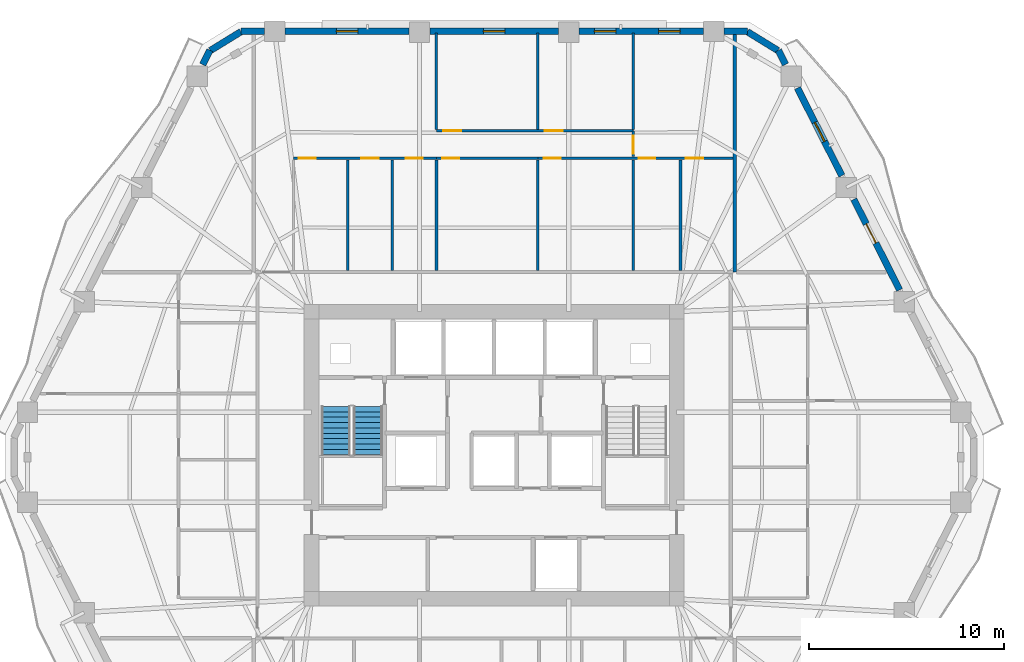
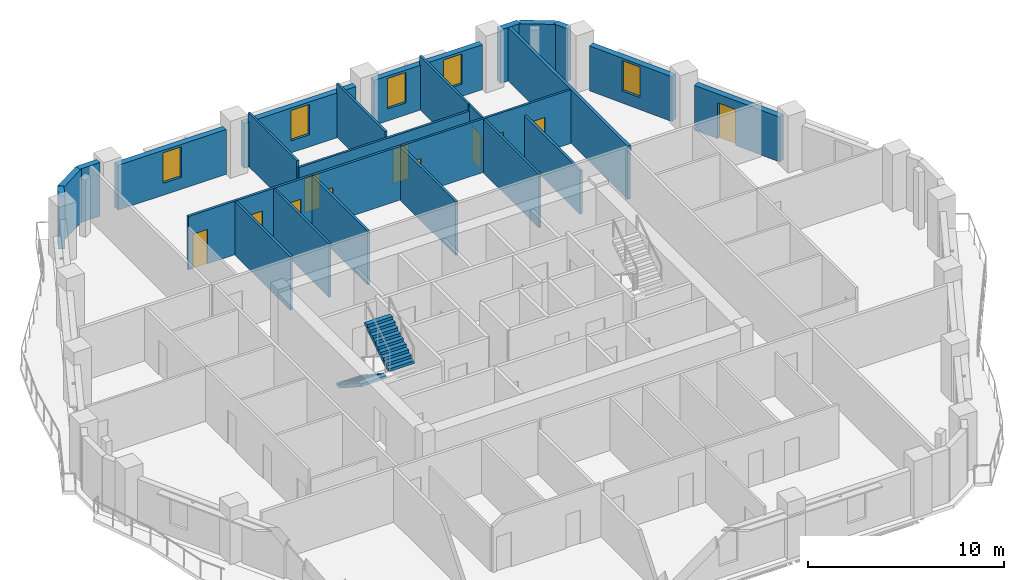
# One storey, part 7 of 12: 26 walls, 11 doors, 5 windows, 2 stair flights, 16 openings, 1 element without a shape of its own.
"""IFC4 building model written with IfcOpenShell, lengths in metres."""

from ifc_helpers import new_model, si_unit, direction, frame, frame_2d, origin, place, context, subcontext, project, spatial, polyline, rectangle, outline, extrude, material, layer, layer_set, type_object, element, fill, aggregate, save


model = new_model("IFC4")

# Units and contexts
model_context = context("Model", 3, precision=1e-05, world=origin(), true_north=direction((0.0, 1.0)))
body_context = subcontext(model_context, "Body", "Model", "MODEL_VIEW")
ifc_project = project(units=[si_unit("LENGTHUNIT", "METRE"), si_unit("AREAUNIT", "SQUARE_METRE"), si_unit("VOLUMEUNIT", "CUBIC_METRE"), si_unit("PLANEANGLEUNIT", "RADIAN"), si_unit("MASSUNIT", "GRAM", prefix="KILO")], contexts=[model_context])

# Site, building, storey
site_placement = place(None, origin())
site = spatial("IfcSite", under=ifc_project, at=site_placement, CompositionType="ELEMENT")
building_placement = place(site_placement, origin())
building = spatial("IfcBuilding", under=site, at=building_placement, Name="Cinnabar Lancet Tower", CompositionType="ELEMENT")
storey_placement = place(building_placement, frame((0.0, 0.0, 126.800048828125)))
storey = spatial("IfcBuildingStorey", under=building, at=storey_placement, Name="L33", CompositionType="ELEMENT", Elevation=126.800048828125)

# Wall
ifc_material_1 = material(Name="Fire-rated twin-frame acoustic drywall", Category="gypsum")
ifc_layer_1 = layer(ifc_material_1, 0.179931640625)
ifc_layer_set_1 = layer_set([ifc_layer_1], Name="Fire-rated twin-frame acoustic drywall")
wall_type_1 = type_object("IfcWallType", Name="ARC-WL-PARTY-180", PredefinedType="PARTITIONING", material=ifc_layer_set_1)
wall_1_placement = place(storey_placement, frame((44.75, 35.300048828125, 0.0), z_axis=(0.0, 0.0, 1.0), x_axis=(0.0, 1.0, 0.0)))
element("IfcWall", 1, at=wall_1_placement, inside=storey, type_object=wall_type_1, Name="PW-L33-NPTY-448", PredefinedType="PARTITIONING", context=body_context, shape_type="SweptSolid", body=[
    extrude(rectangle(XDim=12.195068359375, YDim=0.179931640625, at=frame_2d((6.09765625, 0.0))), origin(), (0.0, 0.0, 1.0), 3.33984375),
])

# Wall, openings, doors
ifc_material_2 = material(Name="Gypsum plasterboard stud partition", Category="gypsum")
ifc_layer_2 = layer(ifc_material_2, 0.125)
ifc_layer_set_2 = layer_set([ifc_layer_2], Name="Gypsum plasterboard stud partition")
wall_type_2 = type_object("IfcWallType", Name="ARC-WL-UNIT-125", PredefinedType="PARTITIONING", material=ifc_layer_set_2)
wall_2_placement = place(storey_placement, frame((34.64306640625, 41.154052734375, 0.0), z_axis=(0.0, 0.0, 1.0), x_axis=(1.0, 0.0, 0.0)))
wall_2 = element("IfcWall", 2, at=wall_2_placement, inside=storey, type_object=wall_type_2, Name="UW-L33-N01-SP2", PredefinedType="PARTITIONING", context=body_context, shape_type="SweptSolid", body=[
    extrude(rectangle(XDim=10.011962890625, YDim=0.125, at=frame_2d((5.005859375, 0.0))), origin(), (0.0, 0.0, 1.0), 3.33984375),
])
opening_1_placement = place(wall_2_placement, frame((5.179931640625, 0.0, 0.0)))
opening_1 = element("IfcOpeningElement", 3, at=opening_1_placement, cuts=wall_2, Name="Opening BD-01", PredefinedType="OPENING", context=body_context, shape_type="SweptSolid", body=[
    extrude(rectangle(XDim=0.860107421875, YDim=2.10009765625, at=frame_2d((0.43017578125, 1.050048828125))), frame((0.0, 0.072509765625, 0.0), z_axis=(0.0, -1.0, 0.0), x_axis=(1.0, 0.0, 0.0)), (0.0, 0.0, 1.0), 0.14501953125),
])
opening_2_placement = place(wall_2_placement, frame((7.60400390625, 0.0, 0.0)))
opening_2 = element("IfcOpeningElement", 4, at=opening_2_placement, cuts=wall_2, Name="Opening RD-02", PredefinedType="OPENING", context=body_context, shape_type="SweptSolid", body=[
    extrude(rectangle(XDim=0.8798828125, YDim=2.14990234375, at=frame_2d((0.43994140625, 1.074951171875))), frame((0.0, 0.072509765625, 0.0), z_axis=(0.0, -1.0, 0.0), x_axis=(1.0, 0.0, 0.0)), (0.0, 0.0, 1.0), 0.14501953125),
])
opening_3_placement = place(wall_2_placement, frame((0.300048828125, 0.0, 0.0)))
opening_3 = element("IfcOpeningElement", 5, at=opening_3_placement, cuts=wall_2, Name="Opening RD-02", PredefinedType="OPENING", context=body_context, shape_type="SweptSolid", body=[
    extrude(rectangle(XDim=0.8798828125, YDim=2.14990234375, at=frame_2d((0.43994140625, 1.074951171875))), frame((0.0, 0.072509765625, 0.0), z_axis=(0.0, -1.0, 0.0), x_axis=(1.0, 0.0, 0.0)), (0.0, 0.0, 1.0), 0.14501953125),
])
ifc_material_3 = material(Name="Moisture-resistant timber bathroom door", Category="wood")
door_type_1 = type_object("IfcDoorType", Name="ARC-DR-BATH", OperationType="NOTDEFINED", PredefinedType="DOOR", material=ifc_material_3)
door_1_placement = place(opening_1_placement, origin())
door_1 = element("IfcDoor", 6, at=door_1_placement, inside=storey, type_object=door_type_1, Name="DR-L33-N01-ENS", OperationType="SINGLE_SWING_RIGHT", OverallHeight=2.10009765625, OverallWidth=0.860107421875, PredefinedType="DOOR", context=body_context, shape_type="SweptSolid", body=[
    extrude(rectangle(XDim=0.860107421875, YDim=2.10009765625, at=frame_2d((0.43017578125, 1.050048828125))), frame((0.0, 0.02490234375, 0.0), z_axis=(0.0, -1.0, 0.0), x_axis=(1.0, 0.0, 0.0)), (0.0, 0.0, 1.0), 0.050048828125),
])
fill(opening_1, door_1)
ifc_material_4 = material(Name="Engineered timber study door", Category="wood")
door_type_2 = type_object("IfcDoorType", Name="ARC-DR-STUDY", OperationType="NOTDEFINED", PredefinedType="DOOR", material=ifc_material_4)
door_2_placement = place(opening_2_placement, origin())
door_2 = element("IfcDoor", 7, at=door_2_placement, inside=storey, type_object=door_type_2, Name="DR-L33-N01-ENS-WDR", OperationType="SINGLE_SWING_LEFT", OverallHeight=2.14990234375, OverallWidth=0.8798828125, PredefinedType="DOOR", context=body_context, shape_type="SweptSolid", body=[
    extrude(rectangle(XDim=0.8798828125, YDim=2.14990234375, at=frame_2d((0.43994140625, 1.074951171875))), frame((0.0, 0.02490234375, 0.0), z_axis=(0.0, -1.0, 0.0), x_axis=(1.0, 0.0, 0.0)), (0.0, 0.0, 1.0), 0.050048828125),
])
fill(opening_2, door_2)
door_3_placement = place(opening_3_placement, origin())
door_3 = element("IfcDoor", 8, at=door_3_placement, inside=storey, type_object=door_type_2, Name="DR-L33-N01-DRS", OperationType="SINGLE_SWING_LEFT", OverallHeight=2.14990234375, OverallWidth=0.8798828125, PredefinedType="DOOR", context=body_context, shape_type="SweptSolid", body=[
    extrude(rectangle(XDim=0.8798828125, YDim=2.14990234375, at=frame_2d((0.43994140625, 1.074951171875))), frame((0.0, 0.02490234375, 0.0), z_axis=(0.0, -1.0, 0.0), x_axis=(1.0, 0.0, 0.0)), (0.0, 0.0, 1.0), 0.050048828125),
])
fill(opening_3, door_3)

# Walls
wall_3_placement = place(storey_placement, frame((27.162109375, 35.385009765625, 0.0), z_axis=(0.0, 0.0, 1.0), x_axis=(0.0, 1.0, 0.0)))
element("IfcWall", 9, at=wall_3_placement, inside=storey, type_object=wall_type_2, Name="UW-L33-N01-STD", PredefinedType="PARTITIONING", context=body_context, shape_type="SweptSolid", body=[
    extrude(rectangle(XDim=5.6640625, YDim=0.125, at=frame_2d((2.83203125, 0.0))), origin(), (0.0, 0.0, 1.0), 3.33984375),
])
wall_4_placement = place(storey_placement, frame((29.43603515625, 42.618896484375, 0.0), z_axis=(0.0, 0.0, 1.0), x_axis=(0.0, 1.0, 0.0)))
element("IfcWall", 10, at=wall_4_placement, inside=storey, type_object=wall_type_2, Name="UW-L33-N01-BD2W", PredefinedType="PARTITIONING", context=body_context, shape_type="SweptSolid", body=[
    extrude(rectangle(XDim=4.966064453125, YDim=0.125, at=frame_2d((2.48291015625, 0.0))), origin(), (0.0, 0.0, 1.0), 3.33984375),
])

# Wall, openings, doors
wall_5_placement = place(storey_placement, frame((29.43603515625, 42.553955078125, 0.0), z_axis=(0.0, 0.0, 1.0), x_axis=(1.0, 0.0, 0.0)))
wall_5 = element("IfcWall", 11, at=wall_5_placement, inside=storey, type_object=wall_type_2, Name="UW-L33-N01-HLN", PredefinedType="PARTITIONING", context=body_context, shape_type="SweptSolid", body=[
    extrude(rectangle(XDim=10.10693359375, YDim=0.125, at=frame_2d((5.053466796875, 0.0))), origin(), (0.0, 0.0, 1.0), 2.974853515625),
])
opening_4_placement = place(wall_5_placement, frame((0.35009765625, 0.0, 0.0)))
opening_4 = element("IfcOpeningElement", 12, at=opening_4_placement, cuts=wall_5, Name="Opening RD-01", PredefinedType="OPENING", context=body_context, shape_type="SweptSolid", body=[
    extrude(rectangle(XDim=0.919921875, YDim=2.14990234375, at=frame_2d((0.4599609375, 1.074951171875))), frame((0.0, 0.072509765625, 0.0), z_axis=(0.0, -1.0, 0.0), x_axis=(1.0, 0.0, 0.0)), (0.0, 0.0, 1.0), 0.14501953125),
])
opening_5_placement = place(wall_5_placement, frame((5.556884765625, 0.0, 0.0)))
opening_5 = element("IfcOpeningElement", 13, at=opening_5_placement, cuts=wall_5, Name="Opening RD-01", PredefinedType="OPENING", context=body_context, shape_type="SweptSolid", body=[
    extrude(rectangle(XDim=0.919921875, YDim=2.14990234375, at=frame_2d((0.4599609375, 1.074951171875))), frame((0.0, 0.072509765625, 0.0), z_axis=(0.0, -1.0, 0.0), x_axis=(1.0, 0.0, 0.0)), (0.0, 0.0, 1.0), 0.14501953125),
])
ifc_material_5 = material(Name="Engineered timber bedroom door", Category="wood")
door_type_3 = type_object("IfcDoorType", Name="ARC-DR-ROOM", OperationType="NOTDEFINED", PredefinedType="DOOR", material=ifc_material_5)
door_4_placement = place(opening_4_placement, origin())
door_4 = element("IfcDoor", 14, at=door_4_placement, inside=storey, type_object=door_type_3, Name="DR-L33-N01-BD2", OperationType="SINGLE_SWING_RIGHT", OverallHeight=2.14990234375, OverallWidth=0.919921875, PredefinedType="DOOR", context=body_context, shape_type="SweptSolid", body=[
    extrude(rectangle(XDim=0.919921875, YDim=2.14990234375, at=frame_2d((0.4599609375, 1.074951171875))), frame((0.0, 0.02490234375, 0.0), z_axis=(0.0, -1.0, 0.0), x_axis=(1.0, 0.0, 0.0)), (0.0, 0.0, 1.0), 0.050048828125),
])
fill(opening_4, door_4)
door_5_placement = place(opening_5_placement, origin())
door_5 = element("IfcDoor", 15, at=door_5_placement, inside=storey, type_object=door_type_3, Name="DR-L33-N01-BD3", OperationType="SINGLE_SWING_LEFT", OverallHeight=2.14990234375, OverallWidth=0.919921875, PredefinedType="DOOR", context=body_context, shape_type="SweptSolid", body=[
    extrude(rectangle(XDim=0.919921875, YDim=2.14990234375, at=frame_2d((0.4599609375, 1.074951171875))), frame((0.0, 0.02490234375, 0.0), z_axis=(0.0, -1.0, 0.0), x_axis=(1.0, 0.0, 0.0)), (0.0, 0.0, 1.0), 0.050048828125),
])
fill(opening_5, door_5)

# Wall, opening, door
wall_6_placement = place(storey_placement, frame((39.54296875, 41.22412109375, 0.0), z_axis=(0.0, 0.0, 1.0), x_axis=(0.0, 1.0, 0.0)))
wall_6 = element("IfcWall", 16, at=wall_6_placement, inside=storey, type_object=wall_type_2, Name="UW-L33-N01-MBE", PredefinedType="PARTITIONING", context=body_context, shape_type="SweptSolid", body=[
    extrude(rectangle(XDim=1.329833984375, YDim=0.125, at=frame_2d((0.6650390625, 0.0))), origin(), (0.0, 0.0, 1.0), 3.33984375),
])
opening_6_placement = place(wall_6_placement, frame((0.159912109375, 0.0, 0.0)))
opening_6 = element("IfcOpeningElement", 17, at=opening_6_placement, cuts=wall_6, Name="Opening RD-01", PredefinedType="OPENING", context=body_context, shape_type="SweptSolid", body=[
    extrude(rectangle(XDim=0.919921875, YDim=2.14990234375, at=frame_2d((0.4599609375, 1.074951171875))), frame((0.0, 0.072509765625, 0.0), z_axis=(0.0, -1.0, 0.0), x_axis=(1.0, 0.0, 0.0)), (0.0, 0.0, 1.0), 0.14501953125),
])
door_6_placement = place(opening_6_placement, origin())
door_6 = element("IfcDoor", 18, at=door_6_placement, inside=storey, type_object=door_type_3, Name="DR-L33-N01-MBD", OperationType="SINGLE_SWING_RIGHT", OverallHeight=2.14990234375, OverallWidth=0.919921875, PredefinedType="DOOR", context=body_context, shape_type="SweptSolid", body=[
    extrude(rectangle(XDim=0.919921875, YDim=2.14990234375, at=frame_2d((0.4599609375, 1.074951171875))), frame((0.0, 0.02490234375, 0.0), z_axis=(0.0, -1.0, 0.0), x_axis=(1.0, 0.0, 0.0)), (0.0, 0.0, 1.0), 0.050048828125),
])
fill(opening_6, door_6)

# Walls
for number, where, z_axis, x_axis, name in (
    (19, (34.64306640625, 42.618896484375, 0.0), (0.0, 0.0, 1.0), (0.0, 1.0, 0.0), "UW-L33-N01-MB2W"),
    (20, (39.54296875, 42.618896484375, 0.0), (0.0, 0.0, 1.0), (0.0, 1.0, 0.0), "UW-L33-N01-B23W"),
):
    element("IfcWall", number, at=place(storey_placement, frame(where, z_axis=z_axis, x_axis=x_axis)), inside=storey, type_object=wall_type_2, Name=name, PredefinedType="PARTITIONING", context=body_context, shape_type="SweptSolid", body=[
        extrude(rectangle(XDim=4.966064453125, YDim=0.125, at=frame_2d((2.48291015625, 0.0))), origin(), (0.0, 0.0, 1.0), 3.33984375),
    ])

# Wall, openings, doors
ifc_material_6 = material(Name="Moisture-resistant cement-board plumbing wall", Category="masonry")
ifc_layer_3 = layer(ifc_material_6, 0.139892578125)
ifc_layer_set_3 = layer_set([ifc_layer_3], Name="Moisture-resistant cement-board plumbing wall")
wall_type_3 = type_object("IfcWallType", Name="ARC-WL-WET-140", PredefinedType="PLUMBINGWALL", material=ifc_layer_set_3)
wall_7_placement = place(storey_placement, frame((22.10009765625, 41.154052734375, 0.0), z_axis=(0.0, 0.0, 1.0), x_axis=(1.0, 0.0, 0.0)))
wall_7 = element("IfcWall", 21, at=wall_7_placement, inside=storey, type_object=wall_type_3, Name="UW-L33-N01-SPL", PredefinedType="PLUMBINGWALL", context=body_context, shape_type="SweptSolid", body=[
    extrude(rectangle(XDim=7.3359375, YDim=0.139892578125, at=frame_2d((3.66796875, 0.0))), origin(), (0.0, 0.0, 1.0), 3.33984375),
])
opening_7_placement = place(wall_7_placement, frame((5.77392578125, 0.0, 0.0)))
opening_7 = element("IfcOpeningElement", 22, at=opening_7_placement, cuts=wall_7, Name="Opening BD-01", PredefinedType="OPENING", context=body_context, shape_type="SweptSolid", body=[
    extrude(rectangle(XDim=0.860107421875, YDim=2.10009765625, at=frame_2d((0.43017578125, 1.050048828125))), frame((0.0, 0.079833984375, 0.0), z_axis=(0.0, -1.0, 0.0), x_axis=(1.0, 0.0, 0.0)), (0.0, 0.0, 1.0), 0.159912109375),
])
opening_8_placement = place(wall_7_placement, frame((0.260009765625, 0.0, 0.0)))
opening_8 = element("IfcOpeningElement", 23, at=opening_8_placement, cuts=wall_7, Name="Opening RD-02", PredefinedType="OPENING", context=body_context, shape_type="SweptSolid", body=[
    extrude(rectangle(XDim=0.8798828125, YDim=2.14990234375, at=frame_2d((0.43994140625, 1.074951171875))), frame((0.0, 0.079833984375, 0.0), z_axis=(0.0, -1.0, 0.0), x_axis=(1.0, 0.0, 0.0)), (0.0, 0.0, 1.0), 0.159912109375),
])
opening_9_placement = place(wall_7_placement, frame((3.485107421875, 0.0, 0.0)))
opening_9 = element("IfcOpeningElement", 24, at=opening_9_placement, cuts=wall_7, Name="Opening RD-02", PredefinedType="OPENING", context=body_context, shape_type="SweptSolid", body=[
    extrude(rectangle(XDim=0.8798828125, YDim=2.14990234375, at=frame_2d((0.43994140625, 1.074951171875))), frame((0.0, 0.079833984375, 0.0), z_axis=(0.0, -1.0, 0.0), x_axis=(1.0, 0.0, 0.0)), (0.0, 0.0, 1.0), 0.159912109375),
])
door_7_placement = place(opening_7_placement, origin())
door_7 = element("IfcDoor", 25, at=door_7_placement, inside=storey, type_object=door_type_1, Name="DR-L33-N01-BTH", OperationType="SINGLE_SWING_RIGHT", OverallHeight=2.10009765625, OverallWidth=0.860107421875, PredefinedType="DOOR", context=body_context, shape_type="SweptSolid", body=[
    extrude(rectangle(XDim=0.860107421875, YDim=2.10009765625, at=frame_2d((0.43017578125, 1.050048828125))), frame((0.0, 0.02490234375, 0.0), z_axis=(0.0, -1.0, 0.0), x_axis=(1.0, 0.0, 0.0)), (0.0, 0.0, 1.0), 0.050048828125),
])
fill(opening_7, door_7)
door_8_placement = place(opening_8_placement, origin())
door_8 = element("IfcDoor", 26, at=door_8_placement, inside=storey, type_object=door_type_2, Name="DR-L33-N01-KIT", OperationType="SINGLE_SWING_RIGHT", OverallHeight=2.14990234375, OverallWidth=0.8798828125, PredefinedType="DOOR", context=body_context, shape_type="SweptSolid", body=[
    extrude(rectangle(XDim=0.8798828125, YDim=2.14990234375, at=frame_2d((0.43994140625, 1.074951171875))), frame((0.0, 0.02490234375, 0.0), z_axis=(0.0, -1.0, 0.0), x_axis=(1.0, 0.0, 0.0)), (0.0, 0.0, 1.0), 0.050048828125),
])
fill(opening_8, door_8)
door_9_placement = place(opening_9_placement, origin())
door_9 = element("IfcDoor", 27, at=door_9_placement, inside=storey, type_object=door_type_2, Name="DR-L33-N01-STD", OperationType="SINGLE_SWING_LEFT", OverallHeight=2.14990234375, OverallWidth=0.8798828125, PredefinedType="DOOR", context=body_context, shape_type="SweptSolid", body=[
    extrude(rectangle(XDim=0.8798828125, YDim=2.14990234375, at=frame_2d((0.43994140625, 1.074951171875))), frame((0.0, 0.02490234375, 0.0), z_axis=(0.0, -1.0, 0.0), x_axis=(1.0, 0.0, 0.0)), (0.0, 0.0, 1.0), 0.050048828125),
])
fill(opening_9, door_9)

# Wall, opening, door
wall_8_placement = place(storey_placement, frame((29.43603515625, 41.154052734375, 0.0), z_axis=(0.0, 0.0, 1.0), x_axis=(1.0, 0.0, 0.0)))
wall_8 = element("IfcWall", 28, at=wall_8_placement, inside=storey, type_object=wall_type_3, Name="UW-L33-N01-SPM", PredefinedType="PLUMBINGWALL", context=body_context, shape_type="SweptSolid", body=[
    extrude(rectangle(XDim=5.20703125, YDim=0.139892578125, at=frame_2d((2.603515625, 0.0))), origin(), (0.0, 0.0, 1.0), 3.33984375),
])
opening_10_placement = place(wall_8_placement, frame((0.300048828125, 0.0, 0.0)))
opening_10 = element("IfcOpeningElement", 29, at=opening_10_placement, cuts=wall_8, Name="Opening RD-02", PredefinedType="OPENING", context=body_context, shape_type="SweptSolid", body=[
    extrude(rectangle(XDim=0.8798828125, YDim=2.14990234375, at=frame_2d((0.43994140625, 1.074951171875))), frame((0.0, 0.079833984375, 0.0), z_axis=(0.0, -1.0, 0.0), x_axis=(1.0, 0.0, 0.0)), (0.0, 0.0, 1.0), 0.159912109375),
])
door_10_placement = place(opening_10_placement, origin())
door_10 = element("IfcDoor", 30, at=door_10_placement, inside=storey, type_object=door_type_2, Name="DR-L33-N01-UTL", OperationType="SINGLE_SWING_LEFT", OverallHeight=2.14990234375, OverallWidth=0.8798828125, PredefinedType="DOOR", context=body_context, shape_type="SweptSolid", body=[
    extrude(rectangle(XDim=0.8798828125, YDim=2.14990234375, at=frame_2d((0.43994140625, 1.074951171875))), frame((0.0, 0.02490234375, 0.0), z_axis=(0.0, -1.0, 0.0), x_axis=(1.0, 0.0, 0.0)), (0.0, 0.0, 1.0), 0.050048828125),
])
fill(opening_10, door_10)

# Walls
for number, where, z_axis, x_axis, name in (
    (31, (24.887939453125, 35.385009765625, 0.0), (0.0, 0.0, 1.0), (0.0, 1.0, 0.0), "UW-L33-N01-KDV"),
    (32, (29.43603515625, 35.385009765625, 0.0), (0.0, 0.0, 1.0), (0.0, 1.0, 0.0), "UW-L33-N01-ENSW"),
    (33, (34.64306640625, 35.385009765625, 0.0), (0.0, 0.0, 1.0), (0.0, 1.0, 0.0), "UW-L33-N01-ENSE"),
    (34, (39.54296875, 35.385009765625, 0.0), (0.0, 0.0, 1.0), (0.0, 1.0, 0.0), "UW-L33-N01-UT3"),
):
    element("IfcWall", number, at=place(storey_placement, frame(where, z_axis=z_axis, x_axis=x_axis)), inside=storey, type_object=wall_type_3, Name=name, PredefinedType="PLUMBINGWALL", context=body_context, shape_type="SweptSolid", body=[
        extrude(rectangle(XDim=5.6640625, YDim=0.139892578125, at=frame_2d((2.83203125, 0.0))), origin(), (0.0, 0.0, 1.0), 3.33984375),
    ])
wall_9_placement = place(storey_placement, frame((41.967041015625, 35.385009765625, 0.0), z_axis=(0.0, 0.0, 1.0), x_axis=(0.0, 1.0, 0.0)))
element("IfcWall", 35, at=wall_9_placement, inside=storey, type_object=wall_type_3, Name="UW-L33-N01-ENS-WDV", PredefinedType="PLUMBINGWALL", context=body_context, shape_type="SweptSolid", body=[
    extrude(rectangle(XDim=5.68408203125, YDim=0.139892578125, at=frame_2d((2.842041015625, 0.0))), origin(), (0.0, 0.0, 1.0), 2.721923828125),
])
ifc_material_7 = material(Name="Cinnabar red clay brick", Category="masonry")
ifc_layer_4 = layer(ifc_material_7, 0.340087890625)
ifc_layer_set_4 = layer_set([ifc_layer_4], Name="Cinnabar red clay brick")
wall_type_4 = type_object("IfcWallType", Name="ENV-WL-BRK-RED-340", PredefinedType="STANDARD", material=ifc_layer_set_4)
for number, where, z_axis, x_axis, name in (
    (36, (46.970947265625, 46.677001953125, 0.0), (0.0, 0.0, 1.0), (-0.851798915137, 0.523868884523, 0.0), "L33 Chamfered Corner Brick Pier 4.1"),
    (37, (19.403076171875, 47.64501953125, 0.0), (0.0, 0.0, 1.0), (-0.851798915137, -0.523868884523, 0.0), "L33 Chamfered Corner Brick Pier 5.1"),
):
    element("IfcWall", number, at=place(storey_placement, frame(where, z_axis=z_axis, x_axis=x_axis)), inside=storey, type_object=wall_type_4, Name=name, PredefinedType="STANDARD", context=body_context, shape_type="SweptSolid", body=[
        extrude(rectangle(XDim=1.847900390625, YDim=0.340087890625, at=frame_2d((0.923828125, 0.0))), origin(), (0.0, 0.0, 1.0), 3.33984375),
    ])

# Wall, opening, door
wall_10_placement = place(storey_placement, frame((53.219970703125, 34.382080078125, 0.0), z_axis=(0.0, 0.0, 1.0), x_axis=(-0.451567731634, 0.892236842855, 0.0)))
wall_10 = element("IfcWall", 38, at=wall_10_placement, inside=storey, type_object=wall_type_4, Name="L33 Face 3 Masonry Bay Wall 3", PredefinedType="STANDARD", context=body_context, shape_type="SweptSolid", body=[
    extrude(rectangle(XDim=5.219482421875, YDim=0.340087890625, at=frame_2d((2.60986328125, 0.0))), origin(), (0.0, 0.0, 1.0), 2.796875),
])
opening_11_placement = place(wall_10_placement, frame((2.698974609375, 0.0, 0.0)))
opening_11 = element("IfcOpeningElement", 39, at=opening_11_placement, cuts=wall_10, Name="Opening TD-01", PredefinedType="OPENING", context=body_context, shape_type="SweptSolid", body=[
    extrude(rectangle(XDim=1.10009765625, YDim=2.25, at=frame_2d((0.550048828125, 1.125))), frame((0.0, 0.179931640625, 0.0), z_axis=(0.0, -1.0, 0.0), x_axis=(1.0, 0.0, 0.0)), (0.0, 0.0, 1.0), 0.360107421875),
])
ifc_material_8 = material(Name="Thermally broken low-E glazed balcony terrace door", Category="wood")
door_type_4 = type_object("IfcDoorType", Name="ARC-DR-BALC", OperationType="NOTDEFINED", PredefinedType="DOOR", material=ifc_material_8)
door_11_placement = place(opening_11_placement, origin())
door_11 = element("IfcDoor", 40, at=door_11_placement, inside=storey, type_object=door_type_4, Name="L33 Face 3 Glazed Terrace Door", OperationType="SINGLE_SWING_LEFT", OverallHeight=2.25, OverallWidth=1.10009765625, PredefinedType="DOOR", context=body_context, shape_type="SweptSolid", body=[
    extrude(rectangle(XDim=1.10009765625, YDim=2.25, at=frame_2d((0.550048828125, 1.125))), frame((0.0, 0.02490234375, 0.0), z_axis=(0.0, -1.0, 0.0), x_axis=(1.0, 0.0, 0.0)), (0.0, 0.0, 1.0), 0.050048828125),
])
fill(opening_11, door_11)

# Wall, opening, window
wall_11_placement = place(storey_placement, frame((50.2509765625, 40.2509765625, 0.0), z_axis=(0.0, 0.0, 1.0), x_axis=(-0.451548465867, 0.892246593142, 0.0)))
wall_11 = element("IfcWall", 41, at=wall_11_placement, inside=storey, type_object=wall_type_4, Name="L33 Face 3 Masonry Bay Wall 4", PredefinedType="STANDARD", context=body_context, shape_type="SweptSolid", body=[
    extrude(rectangle(XDim=5.040283203125, YDim=0.340087890625, at=frame_2d((2.52001953125, 0.0))), origin(), (0.0, 0.0, 1.0), 2.796875),
])
opening_12_placement = place(wall_11_placement, frame((1.969970703125, 0.0, 0.75)))
opening_12 = element("IfcOpeningElement", 42, at=opening_12_placement, cuts=wall_11, Name="Opening WN-04", PredefinedType="OPENING", context=body_context, shape_type="SweptSolid", body=[
    extrude(rectangle(XDim=1.10009765625, YDim=1.89697265625, at=frame_2d((0.550048828125, 0.948486328125))), frame((0.0, 0.179931640625, 0.0), z_axis=(0.0, -1.0, 0.0), x_axis=(1.0, 0.0, 0.0)), (0.0, 0.0, 1.0), 0.360107421875),
])
ifc_material_9 = material(Name="Thermally broken bronze-anodized aluminium tall lancet window", Category="aluminium")
window_type = type_object("IfcWindowType", Name="ENV-WN-LANCET-1100", PartitioningType="SINGLE_PANEL", PredefinedType="WINDOW", material=ifc_material_9)
window_1_placement = place(opening_12_placement, origin())
window_1 = element("IfcWindow", 43, at=window_1_placement, inside=storey, type_object=window_type, Name="L33 Face 3 Gothic Lancet Window 4", OverallHeight=1.89697265625, OverallWidth=1.10009765625, PartitioningType="SINGLE_PANEL", PredefinedType="WINDOW", context=body_context, shape_type="SweptSolid", body=[
    extrude(rectangle(XDim=1.10009765625, YDim=1.89697265625, at=frame_2d((0.550048828125, 0.948486328125))), frame((0.0, 0.030029296875, 0.0), z_axis=(0.0, -1.0, 0.0), x_axis=(1.0, 0.0, 0.0)), (0.0, 0.0, 1.0), 0.06005859375),
])
fill(opening_12, window_1)

# Walls
wall_12_placement = place(storey_placement, frame((47.362060546875, 45.9599609375, 0.0), z_axis=(0.0, 0.0, 1.0), x_axis=(-0.45160540153, 0.89221777684, 0.0)))
element("IfcWall", 44, at=wall_12_placement, inside=storey, type_object=wall_type_4, Name="L33 Face 3 Masonry Bay Wall 5", PredefinedType="STANDARD", context=body_context, shape_type="SweptSolid", body=[
    extrude(rectangle(XDim=0.82177734375, YDim=0.340087890625, at=frame_2d((0.410888671875, 0.0))), origin(), (0.0, 0.0, 1.0), 3.33984375),
])
wall_13_placement = place(storey_placement, frame((45.402099609375, 47.669921875, 0.0), z_axis=(0.0, 0.0, 1.0), x_axis=(-1.0, 0.0, 0.0)))
element("IfcWall", 45, at=wall_13_placement, inside=storey, type_object=wall_type_4, Name="L33 Face 4 Masonry Bay Wall 1", PredefinedType="STANDARD", context=body_context, shape_type="SweptSolid", body=[
    extrude(rectangle(XDim=1.2041015625, YDim=0.340087890625, at=frame_2d((0.60205078125, 0.0))), origin(), (0.0, 0.0, 1.0), 3.33984375),
])

# Wall, openings, windows
wall_14_placement = place(storey_placement, frame((43.139892578125, 47.669921875, 0.0), z_axis=(0.0, 0.0, 1.0), x_axis=(-1.0, 0.0, 0.0)))
wall_14 = element("IfcWall", 46, at=wall_14_placement, inside=storey, type_object=wall_type_4, Name="L33 Face 4 Masonry Bay Wall 2", PredefinedType="STANDARD", context=body_context, shape_type="SweptSolid", body=[
    extrude(rectangle(XDim=6.37890625, YDim=0.340087890625, at=frame_2d((3.189453125, 0.0))), origin(), (0.0, 0.0, 1.0), 2.796875),
])
opening_13_placement = place(wall_14_placement, frame((1.19189453125, 0.0, 0.75)))
opening_13 = element("IfcOpeningElement", 47, at=opening_13_placement, cuts=wall_14, Name="Opening WN-04", PredefinedType="OPENING", context=body_context, shape_type="SweptSolid", body=[
    extrude(rectangle(XDim=1.10009765625, YDim=1.89697265625, at=frame_2d((0.550048828125, 0.948486328125))), frame((0.0, 0.179931640625, 0.0), z_axis=(0.0, -1.0, 0.0), x_axis=(1.0, 0.0, 0.0)), (0.0, 0.0, 1.0), 0.360107421875),
])
opening_14_placement = place(wall_14_placement, frame((4.493896484375, 0.0, 0.75)))
opening_14 = element("IfcOpeningElement", 48, at=opening_14_placement, cuts=wall_14, Name="Opening WN-04", PredefinedType="OPENING", context=body_context, shape_type="SweptSolid", body=[
    extrude(rectangle(XDim=1.10009765625, YDim=1.89697265625, at=frame_2d((0.550048828125, 0.948486328125))), frame((0.0, 0.179931640625, 0.0), z_axis=(0.0, -1.0, 0.0), x_axis=(1.0, 0.0, 0.0)), (0.0, 0.0, 1.0), 0.360107421875),
])
window_2_placement = place(opening_13_placement, origin())
window_2 = element("IfcWindow", 49, at=window_2_placement, inside=storey, type_object=window_type, Name="L33 Face 4 Gothic Lancet Window 2", OverallHeight=1.89697265625, OverallWidth=1.10009765625, PartitioningType="SINGLE_PANEL", PredefinedType="WINDOW", context=body_context, shape_type="SweptSolid", body=[
    extrude(rectangle(XDim=1.10009765625, YDim=1.89697265625, at=frame_2d((0.550048828125, 0.948486328125))), frame((0.0, 0.030029296875, 0.0), z_axis=(0.0, -1.0, 0.0), x_axis=(1.0, 0.0, 0.0)), (0.0, 0.0, 1.0), 0.06005859375),
])
fill(opening_13, window_2)
window_3_placement = place(opening_14_placement, origin())
window_3 = element("IfcWindow", 50, at=window_3_placement, inside=storey, type_object=window_type, Name="L33 Split-Bay Gothic Lancet Window 100", OverallHeight=1.89697265625, OverallWidth=1.10009765625, PartitioningType="SINGLE_PANEL", PredefinedType="WINDOW", context=body_context, shape_type="SweptSolid", body=[
    extrude(rectangle(XDim=1.10009765625, YDim=1.89697265625, at=frame_2d((0.550048828125, 0.948486328125))), frame((0.0, 0.030029296875, 0.0), z_axis=(0.0, -1.0, 0.0), x_axis=(1.0, 0.0, 0.0)), (0.0, 0.0, 1.0), 0.06005859375),
])
fill(opening_14, window_3)

# Wall, opening, window
wall_15_placement = place(storey_placement, frame((35.702880859375, 47.669921875, 0.0), z_axis=(0.0, 0.0, 1.0), x_axis=(-1.0, 0.0, 0.0)))
wall_15 = element("IfcWall", 51, at=wall_15_placement, inside=storey, type_object=wall_type_4, Name="L33 Face 4 Masonry Bay Wall 3", PredefinedType="STANDARD", context=body_context, shape_type="SweptSolid", body=[
    extrude(rectangle(XDim=6.60595703125, YDim=0.340087890625, at=frame_2d((3.302978515625, 0.0))), origin(), (0.0, 0.0, 1.0), 2.796875),
])
opening_15_placement = place(wall_15_placement, frame((2.7529296875, 0.0, 0.75)))
opening_15 = element("IfcOpeningElement", 52, at=opening_15_placement, cuts=wall_15, Name="Opening WN-04", PredefinedType="OPENING", context=body_context, shape_type="SweptSolid", body=[
    extrude(rectangle(XDim=1.10009765625, YDim=1.89697265625, at=frame_2d((0.550048828125, 0.948486328125))), frame((0.0, 0.179931640625, 0.0), z_axis=(0.0, -1.0, 0.0), x_axis=(1.0, 0.0, 0.0)), (0.0, 0.0, 1.0), 0.360107421875),
])
window_4_placement = place(opening_15_placement, origin())
window_4 = element("IfcWindow", 53, at=window_4_placement, inside=storey, type_object=window_type, Name="L33 Face 4 Gothic Lancet Window 3", OverallHeight=1.89697265625, OverallWidth=1.10009765625, PartitioningType="SINGLE_PANEL", PredefinedType="WINDOW", context=body_context, shape_type="SweptSolid", body=[
    extrude(rectangle(XDim=1.10009765625, YDim=1.89697265625, at=frame_2d((0.550048828125, 0.948486328125))), frame((0.0, 0.030029296875, 0.0), z_axis=(0.0, -1.0, 0.0), x_axis=(1.0, 0.0, 0.0)), (0.0, 0.0, 1.0), 0.06005859375),
])
fill(opening_15, window_4)

wall_16_placement = place(storey_placement, frame((28.0390625, 47.669921875, 0.0), z_axis=(0.0, 0.0, 1.0), x_axis=(-1.0, 0.0, 0.0)))
wall_16 = element("IfcWall", 54, at=wall_16_placement, inside=storey, type_object=wall_type_4, Name="L33 Face 4 Masonry Bay Wall 4", PredefinedType="STANDARD", context=body_context, shape_type="SweptSolid", body=[
    extrude(rectangle(XDim=6.379150390625, YDim=0.340087890625, at=frame_2d((3.189453125, 0.0))), origin(), (0.0, 0.0, 1.0), 2.796875),
])
opening_16_placement = place(wall_16_placement, frame((2.639892578125, 0.0, 0.75)))
opening_16 = element("IfcOpeningElement", 55, at=opening_16_placement, cuts=wall_16, Name="Opening WN-04", PredefinedType="OPENING", context=body_context, shape_type="SweptSolid", body=[
    extrude(rectangle(XDim=1.10009765625, YDim=1.89697265625, at=frame_2d((0.550048828125, 0.948486328125))), frame((0.0, 0.179931640625, 0.0), z_axis=(0.0, -1.0, 0.0), x_axis=(1.0, 0.0, 0.0)), (0.0, 0.0, 1.0), 0.360107421875),
])
window_5_placement = place(opening_16_placement, origin())
window_5 = element("IfcWindow", 56, at=window_5_placement, inside=storey, type_object=window_type, Name="L33 Face 4 Gothic Lancet Window 4", OverallHeight=1.89697265625, OverallWidth=1.10009765625, PartitioningType="SINGLE_PANEL", PredefinedType="WINDOW", context=body_context, shape_type="SweptSolid", body=[
    extrude(rectangle(XDim=1.10009765625, YDim=1.89697265625, at=frame_2d((0.550048828125, 0.948486328125))), frame((0.0, 0.030029296875, 0.0), z_axis=(0.0, -1.0, 0.0), x_axis=(1.0, 0.0, 0.0)), (0.0, 0.0, 1.0), 0.06005859375),
])
fill(opening_16, window_5)

# Walls
wall_17_placement = place(storey_placement, frame((20.60205078125, 47.669921875, 0.0), z_axis=(0.0, 0.0, 1.0), x_axis=(-1.0, 0.0, 0.0)))
element("IfcWall", 57, at=wall_17_placement, inside=storey, type_object=wall_type_4, Name="L33 Face 4 Masonry Bay Wall 5", PredefinedType="STANDARD", context=body_context, shape_type="SweptSolid", body=[
    extrude(rectangle(XDim=1.2041015625, YDim=0.340087890625, at=frame_2d((0.60205078125, 0.0))), origin(), (0.0, 0.0, 1.0), 3.33984375),
])
wall_18_placement = place(storey_placement, frame((17.80908203125, 46.693115234375, 0.0), z_axis=(0.0, 0.0, 1.0), x_axis=(-0.45160540153, -0.89221777684, 0.0)))
element("IfcWall", 58, at=wall_18_placement, inside=storey, type_object=wall_type_4, Name="L33 Face 5 Masonry Bay Wall 1", PredefinedType="STANDARD", context=body_context, shape_type="SweptSolid", body=[
    extrude(rectangle(XDim=0.82177734375, YDim=0.340087890625, at=frame_2d((0.410888671875, 0.0))), origin(), (0.0, 0.0, 1.0), 3.33984375),
])

# Stair, stair flights
ifc_material_10 = material(Name="Concrete C40/50", Category="concrete")
stair_type = type_object("IfcStairType", Name="ST-CORE", PredefinedType="HALF_TURN_STAIR", material=ifc_material_10)
stair_placement = place(storey_placement, origin())
stair = element("IfcStair", 59, at=stair_placement, inside=storey, type_object=stair_type, Name="L33 ST-1", PredefinedType="HALF_TURN_STAIR")
ifc_material_11 = material(Name="Concrete C40/50", Category="concrete")
stair_flight_type = type_object("IfcStairFlightType", Name="FLIGHT-CORE", PredefinedType="STRAIGHT", material=ifc_material_11)
stair_flight_1_placement = place(storey_placement, frame((24.27490234375, 28.39990234375, 0.0), z_axis=(0.0, 0.0, 1.0), x_axis=(0.0, -1.0, 0.0)))
stair_flight_1 = element("IfcStairFlight", 60, at=stair_flight_1_placement, type_object=stair_flight_type, Name="ST-1 flight 1", NumberOfRisers=10, NumberOfTreads=9, PredefinedType="STRAIGHT", RiserHeight=0.1775, TreadLength=0.275, context=body_context, shape_type="SweptSolid", body=[
    extrude(outline(polyline([(0.0, 0.0), (0.0, 0.177490234375), (0.27490234375, 0.177490234375), (0.27490234375, 0.35498046875), (0.550048828125, 0.35498046875), (0.550048828125, 0.532470703125), (0.824951171875, 0.532470703125), (0.824951171875, 0.7099609375), (1.10009765625, 0.7099609375), (1.10009765625, 0.887451171875), (1.375, 0.887451171875), (1.375, 1.06494140625), (1.64990234375, 1.06494140625), (1.64990234375, 1.242431640625), (1.925048828125, 1.242431640625), (1.925048828125, 1.419921875), (2.199951171875, 1.419921875), (2.199951171875, 1.597412109375), (2.47509765625, 1.597412109375), (2.47509765625, 1.77490234375), (2.47509765625, 1.419189453125), (0.2763671875, 0.0), (0.0, 0.0)])), frame((0.0, 0.75, 0.0), z_axis=(0.0, -1.0, 0.0), x_axis=(1.0, 0.0, 0.0)), (0.0, 0.0, 1.0), 1.5),
])
stair_flight_2_placement = place(storey_placement, frame((25.925048828125, 25.925048828125, 1.77490234375), z_axis=(0.0, 0.0, 1.0), x_axis=(0.0, 1.0, 0.0)))
stair_flight_2 = element("IfcStairFlight", 61, at=stair_flight_2_placement, type_object=stair_flight_type, Name="ST-1 flight 2", NumberOfRisers=10, NumberOfTreads=9, PredefinedType="STRAIGHT", RiserHeight=0.1775, TreadLength=0.275, context=body_context, shape_type="SweptSolid", body=[
    extrude(outline(polyline([(0.0, 0.0), (0.0, 0.177490234375), (0.27490234375, 0.177490234375), (0.27490234375, 0.35498046875), (0.550048828125, 0.35498046875), (0.550048828125, 0.532470703125), (0.824951171875, 0.532470703125), (0.824951171875, 0.7099609375), (1.10009765625, 0.7099609375), (1.10009765625, 0.887451171875), (1.375, 0.887451171875), (1.375, 1.06494140625), (1.64990234375, 1.06494140625), (1.64990234375, 1.242431640625), (1.925048828125, 1.242431640625), (1.925048828125, 1.419921875), (2.199951171875, 1.419921875), (2.199951171875, 1.597412109375), (2.47509765625, 1.597412109375), (2.47509765625, 1.77490234375), (2.47509765625, 1.419189453125), (0.2763671875, 0.0), (0.0, 0.0)])), frame((0.0, 0.75, 0.0), z_axis=(0.0, -1.0, 0.0), x_axis=(1.0, 0.0, 0.0)), (0.0, 0.0, 1.0), 1.5),
])
aggregate(stair, [stair_flight_1, stair_flight_2])

save(model, "model.ifc")
